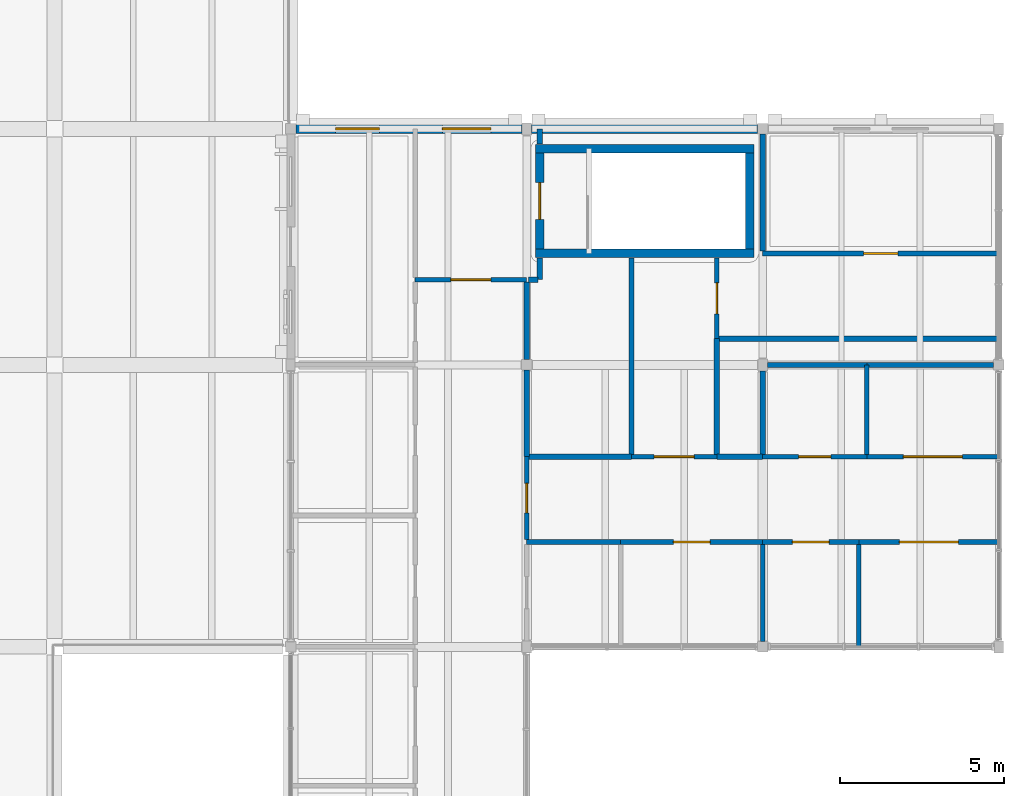
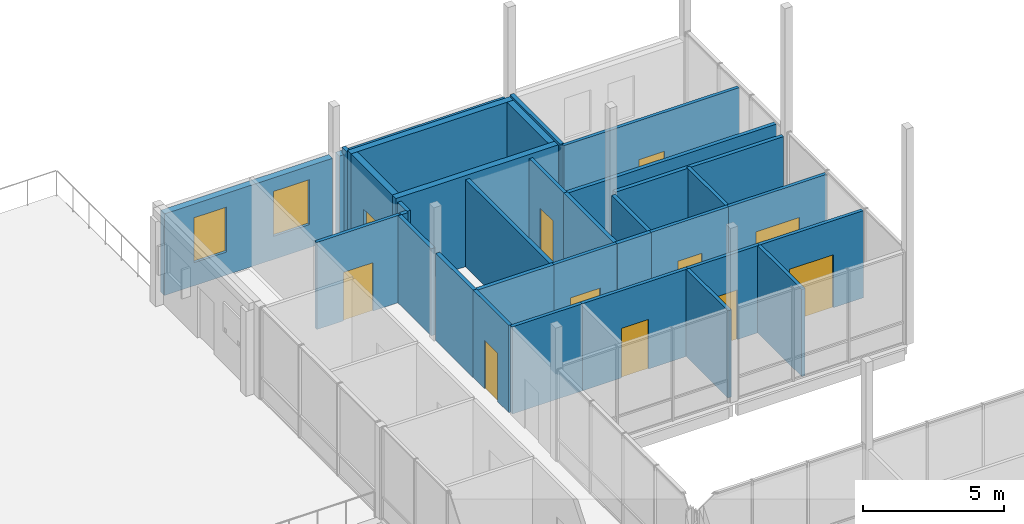
# One storey, part 94 of 115: 34 walls, 11 doors, 2 windows, 13 openings.
"""IFC4 building model written with IfcOpenShell, lengths in metres."""

from ifc_helpers import new_model, si_unit, direction, frame, frame_2d, origin, place, context, subcontext, project, spatial, rectangle, extrude, material, layer, layer_set, type_object, element, fill, save


model = new_model("IFC4")

# Units and contexts
model_context = context("Model", 3, precision=1e-05, world=origin(), true_north=direction((0.0, 1.0)))
body_context = subcontext(model_context, "Body", "Model", "MODEL_VIEW")
ifc_project = project(units=[si_unit("LENGTHUNIT", "METRE"), si_unit("AREAUNIT", "SQUARE_METRE"), si_unit("VOLUMEUNIT", "CUBIC_METRE"), si_unit("PLANEANGLEUNIT", "RADIAN"), si_unit("MASSUNIT", "GRAM", prefix="KILO")], contexts=[model_context])

# Site, building, storey
site_placement = place(None, origin())
site = spatial("IfcSite", under=ifc_project, at=site_placement, CompositionType="ELEMENT")
building_placement = place(site_placement, origin())
building = spatial("IfcBuilding", under=site, at=building_placement, Name="Hawrajan Terrace Health Centre", CompositionType="ELEMENT")
storey_placement = place(building_placement, frame((0.0, 0.0, 9.0)))
storey = spatial("IfcBuildingStorey", under=building, at=storey_placement, Name="L02", CompositionType="ELEMENT", Elevation=9.0)

# Wall, opening, door
ifc_material_1 = material(Name="Gypsum board on acoustic stud framing")
ifc_layer_1 = layer(ifc_material_1, 0.139892578125)
ifc_layer_set_1 = layer_set([ifc_layer_1], Name="Gypsum board on acoustic stud framing")
wall_type_1 = type_object("IfcWallType", Name="ClinicalAcousticWall_140", PredefinedType="PARTITIONING", material=ifc_layer_set_1)
wall_1_placement = place(storey_placement, frame((147.60009765625, 48.0, 0.0), z_axis=(0.0, 0.0, 1.0), x_axis=(1.0, 0.0, 0.0)))
wall_1 = element("IfcWall", 1, at=wall_1_placement, inside=storey, type_object=wall_type_1, Name="Interior wall IW-L02-1181", PredefinedType="PARTITIONING", context=body_context, shape_type="SweptSolid", body=[
    extrude(rectangle(XDim=3.39990234375, YDim=0.139892578125, at=frame_2d((1.699951171875, 0.0))), origin(), (0.0, 0.0, 1.0), 3.780029296875),
])
opening_1_placement = place(wall_1_placement, frame((1.090087890625, 0.0, 0.0)))
opening_1 = element("IfcOpeningElement", 2, at=opening_1_placement, cuts=wall_1, Name="Opening D-L02-452", PredefinedType="OPENING", context=body_context, shape_type="SweptSolid", body=[
    extrude(rectangle(XDim=1.219970703125, YDim=2.10009765625, at=frame_2d((0.60986328125, 1.050048828125))), frame((0.0, 0.079833984375, 0.0), z_axis=(0.0, -1.0, 0.0), x_axis=(1.0, 0.0, 0.0)), (0.0, 0.0, 1.0), 0.159912109375),
])
ifc_material_2 = material(Name="Hardwood acoustic clinical door leaf and frame", Category="wood")
door_type_1 = type_object("IfcDoorType", Name="ConsultDoor_1220x2100", OperationType="NOTDEFINED", PredefinedType="DOOR", material=ifc_material_2)
door_1_placement = place(opening_1_placement, origin())
door_1 = element("IfcDoor", 3, at=door_1_placement, inside=storey, type_object=door_type_1, Name="Interior door D-L02-452", OperationType="SINGLE_SWING_RIGHT", OverallHeight=2.10009765625, OverallWidth=1.219970703125, PredefinedType="DOOR", context=body_context, shape_type="SweptSolid", body=[
    extrude(rectangle(XDim=1.219970703125, YDim=2.10009765625, at=frame_2d((0.60986328125, 1.050048828125))), frame((0.0, 0.02490234375, 0.0), z_axis=(0.0, -1.0, 0.0), x_axis=(1.0, 0.0, 0.0)), (0.0, 0.0, 1.0), 0.050048828125),
])
fill(opening_1, door_1)

wall_2_placement = place(storey_placement, frame((151.0, 40.070068359375, 0.0), z_axis=(0.0, 0.0, 1.0), x_axis=(0.0, 1.0, 0.0)))
wall_2 = element("IfcWall", 4, at=wall_2_placement, inside=storey, type_object=wall_type_1, Name="Interior wall IW-L02-1184", PredefinedType="PARTITIONING", context=body_context, shape_type="SweptSolid", body=[
    extrude(rectangle(XDim=2.530029296875, YDim=0.139892578125, at=frame_2d((1.26513671875, 0.0))), origin(), (0.0, 0.0, 1.0), 3.780029296875),
])
opening_2_placement = place(wall_2_placement, frame((0.81494140625, 0.0, 0.0)))
opening_2 = element("IfcOpeningElement", 5, at=opening_2_placement, cuts=wall_2, Name="Opening D-L02-454", PredefinedType="OPENING", context=body_context, shape_type="SweptSolid", body=[
    extrude(rectangle(XDim=0.89990234375, YDim=2.10009765625, at=frame_2d((0.449951171875, 1.050048828125))), frame((0.0, 0.079833984375, 0.0), z_axis=(0.0, -1.0, 0.0), x_axis=(1.0, 0.0, 0.0)), (0.0, 0.0, 1.0), 0.159912109375),
])
door_type_2 = type_object("IfcDoorType", Name="PatientWCDoor_900x2100", OperationType="NOTDEFINED", PredefinedType="DOOR", material=ifc_material_2)
door_2_placement = place(opening_2_placement, origin())
door_2 = element("IfcDoor", 6, at=door_2_placement, inside=storey, type_object=door_type_2, Name="Interior door D-L02-454", OperationType="SINGLE_SWING_RIGHT", OverallHeight=2.10009765625, OverallWidth=0.89990234375, PredefinedType="DOOR", context=body_context, shape_type="SweptSolid", body=[
    extrude(rectangle(XDim=0.89990234375, YDim=2.10009765625, at=frame_2d((0.449951171875, 1.050048828125))), frame((0.0, 0.02490234375, 0.0), z_axis=(0.0, -1.0, 0.0), x_axis=(1.0, 0.0, 0.0)), (0.0, 0.0, 1.0), 0.050048828125),
])
fill(opening_2, door_2)

# Wall
wall_3_placement = place(storey_placement, frame((151.0, 40.0, 0.0), z_axis=(0.0, 0.0, 1.0), x_axis=(1.0, 0.0, 0.0)))
element("IfcWall", 7, at=wall_3_placement, inside=storey, type_object=wall_type_1, Name="Interior wall IW-L02-1185", PredefinedType="PARTITIONING", context=body_context, shape_type="SweptSolid", body=[
    extrude(rectangle(XDim=2.865966796875, YDim=0.139892578125, at=frame_2d((1.43310546875, 0.0))), origin(), (0.0, 0.0, 1.0), 3.780029296875),
])

# Wall, opening, door
wall_4_placement = place(storey_placement, frame((153.865966796875, 40.0, 0.0), z_axis=(0.0, 0.0, 1.0), x_axis=(1.0, 0.0, 0.0)))
wall_4 = element("IfcWall", 8, at=wall_4_placement, inside=storey, type_object=wall_type_1, Name="Interior wall IW-L02-1188", PredefinedType="PARTITIONING", context=body_context, shape_type="SweptSolid", body=[
    extrude(rectangle(XDim=4.333984375, YDim=0.139892578125, at=frame_2d((2.1669921875, 0.0))), origin(), (0.0, 0.0, 1.0), 3.780029296875),
])
opening_3_placement = place(wall_4_placement, frame((1.60693359375, 0.0, 0.0)))
opening_3 = element("IfcOpeningElement", 9, at=opening_3_placement, cuts=wall_4, Name="Opening D-L02-555", PredefinedType="OPENING", context=body_context, shape_type="SweptSolid", body=[
    extrude(rectangle(XDim=1.1201171875, YDim=2.14990234375, at=frame_2d((0.56005859375, 1.074951171875))), frame((0.0, 0.079833984375, 0.0), z_axis=(0.0, -1.0, 0.0), x_axis=(1.0, 0.0, 0.0)), (0.0, 0.0, 1.0), 0.159912109375),
])
door_type_3 = type_object("IfcDoorType", Name="DentalSurgeryDoor_1120x2150", OperationType="NOTDEFINED", PredefinedType="DOOR", material=ifc_material_2)
door_3_placement = place(opening_3_placement, origin())
door_3 = element("IfcDoor", 10, at=door_3_placement, inside=storey, type_object=door_type_3, Name="Interior door D-L02-555", OperationType="SINGLE_SWING_LEFT", OverallHeight=2.14990234375, OverallWidth=1.1201171875, PredefinedType="DOOR", context=body_context, shape_type="SweptSolid", body=[
    extrude(rectangle(XDim=1.1201171875, YDim=2.14990234375, at=frame_2d((0.56005859375, 1.074951171875))), frame((0.0, 0.02490234375, 0.0), z_axis=(0.0, -1.0, 0.0), x_axis=(1.0, 0.0, 0.0)), (0.0, 0.0, 1.0), 0.050048828125),
])
fill(opening_3, door_3)

wall_5_placement = place(storey_placement, frame((154.199951171875, 42.60009765625, 0.0), z_axis=(0.0, 0.0, 1.0), x_axis=(1.0, 0.0, 0.0)))
wall_5 = element("IfcWall", 11, at=wall_5_placement, inside=storey, type_object=wall_type_1, Name="Interior wall IW-L02-1190", PredefinedType="PARTITIONING", context=body_context, shape_type="SweptSolid", body=[
    extrude(rectangle(XDim=2.60009765625, YDim=0.139892578125, at=frame_2d((1.300048828125, 0.0))), origin(), (0.0, 0.0, 1.0), 3.780029296875),
])
opening_4_placement = place(wall_5_placement, frame((0.68994140625, 0.0, 0.0)))
opening_4 = element("IfcOpeningElement", 12, at=opening_4_placement, cuts=wall_5, Name="Opening D-L02-457", PredefinedType="OPENING", context=body_context, shape_type="SweptSolid", body=[
    extrude(rectangle(XDim=1.219970703125, YDim=2.10009765625, at=frame_2d((0.60986328125, 1.050048828125))), frame((0.0, 0.079833984375, 0.0), z_axis=(0.0, -1.0, 0.0), x_axis=(1.0, 0.0, 0.0)), (0.0, 0.0, 1.0), 0.159912109375),
])
door_4_placement = place(opening_4_placement, origin())
door_4 = element("IfcDoor", 13, at=door_4_placement, inside=storey, type_object=door_type_1, Name="Interior door D-L02-457", OperationType="SINGLE_SWING_LEFT", OverallHeight=2.10009765625, OverallWidth=1.219970703125, PredefinedType="DOOR", context=body_context, shape_type="SweptSolid", body=[
    extrude(rectangle(XDim=1.219970703125, YDim=2.10009765625, at=frame_2d((0.60986328125, 1.050048828125))), frame((0.0, 0.02490234375, 0.0), z_axis=(0.0, -1.0, 0.0), x_axis=(1.0, 0.0, 0.0)), (0.0, 0.0, 1.0), 0.050048828125),
])
fill(opening_4, door_4)

wall_6_placement = place(storey_placement, frame((156.800048828125, 46.199951171875, 0.0), z_axis=(0.0, 0.0, 1.0), x_axis=(0.0, 1.0, 0.0)))
wall_6 = element("IfcWall", 14, at=wall_6_placement, inside=storey, type_object=wall_type_1, Name="Interior wall IW-L02-1192", PredefinedType="PARTITIONING", context=body_context, shape_type="SweptSolid", body=[
    extrude(rectangle(XDim=2.4599609375, YDim=0.139892578125, at=frame_2d((1.22998046875, 0.0))), origin(), (0.0, 0.0, 1.0), 3.780029296875),
])
opening_5_placement = place(wall_6_placement, frame((0.7548828125, 0.0, 0.0)))
opening_5 = element("IfcOpeningElement", 15, at=opening_5_placement, cuts=wall_6, Name="Opening D-L02-458", PredefinedType="OPENING", context=body_context, shape_type="SweptSolid", body=[
    extrude(rectangle(XDim=0.949951171875, YDim=2.10009765625, at=frame_2d((0.47509765625, 1.050048828125))), frame((0.0, 0.079833984375, 0.0), z_axis=(0.0, -1.0, 0.0), x_axis=(1.0, 0.0, 0.0)), (0.0, 0.0, 1.0), 0.159912109375),
])
door_type_4 = type_object("IfcDoorType", Name="AccessibleWCDoor_950x2100", OperationType="NOTDEFINED", PredefinedType="DOOR", material=ifc_material_2)
door_5_placement = place(opening_5_placement, origin())
door_5 = element("IfcDoor", 16, at=door_5_placement, inside=storey, type_object=door_type_4, Name="Interior door D-L02-458", OperationType="SINGLE_SWING_RIGHT", OverallHeight=2.10009765625, OverallWidth=0.949951171875, PredefinedType="DOOR", context=body_context, shape_type="SweptSolid", body=[
    extrude(rectangle(XDim=0.949951171875, YDim=2.10009765625, at=frame_2d((0.47509765625, 1.050048828125))), frame((0.0, 0.02490234375, 0.0), z_axis=(0.0, -1.0, 0.0), x_axis=(1.0, 0.0, 0.0)), (0.0, 0.0, 1.0), 0.050048828125),
])
fill(opening_5, door_5)

# Wall
wall_7_placement = place(storey_placement, frame((158.199951171875, 36.9599609375, 0.0), z_axis=(0.0, 0.0, 1.0), x_axis=(0.0, 1.0, 0.0)))
element("IfcWall", 17, at=wall_7_placement, inside=storey, type_object=wall_type_1, Name="Interior wall IW-L02-1197", PredefinedType="PARTITIONING", context=body_context, shape_type="SweptSolid", body=[
    extrude(rectangle(XDim=2.969970703125, YDim=0.139892578125, at=frame_2d((1.48486328125, 0.0))), origin(), (0.0, 0.0, 1.0), 3.780029296875),
])

# Wall, opening, door
wall_8_placement = place(storey_placement, frame((158.199951171875, 40.0, 0.0), z_axis=(0.0, 0.0, 1.0), x_axis=(1.0, 0.0, 0.0)))
wall_8 = element("IfcWall", 18, at=wall_8_placement, inside=storey, type_object=wall_type_1, Name="Interior wall IW-L02-1198", PredefinedType="PARTITIONING", context=body_context, shape_type="SweptSolid", body=[
    extrude(rectangle(XDim=2.929931640625, YDim=0.139892578125, at=frame_2d((1.46484375, 0.0))), origin(), (0.0, 0.0, 1.0), 3.780029296875),
])
opening_6_placement = place(wall_8_placement, frame((0.905029296875, 0.0, 0.0)))
opening_6 = element("IfcOpeningElement", 19, at=opening_6_placement, cuts=wall_8, Name="Opening D-L02-560", PredefinedType="OPENING", context=body_context, shape_type="SweptSolid", body=[
    extrude(rectangle(XDim=1.1201171875, YDim=2.14990234375, at=frame_2d((0.56005859375, 1.074951171875))), frame((0.0, 0.079833984375, 0.0), z_axis=(0.0, -1.0, 0.0), x_axis=(1.0, 0.0, 0.0)), (0.0, 0.0, 1.0), 0.159912109375),
])
door_6_placement = place(opening_6_placement, origin())
door_6 = element("IfcDoor", 20, at=door_6_placement, inside=storey, type_object=door_type_3, Name="Interior door D-L02-560", OperationType="SINGLE_SWING_RIGHT", OverallHeight=2.14990234375, OverallWidth=1.1201171875, PredefinedType="DOOR", context=body_context, shape_type="SweptSolid", body=[
    extrude(rectangle(XDim=1.1201171875, YDim=2.14990234375, at=frame_2d((0.56005859375, 1.074951171875))), frame((0.0, 0.02490234375, 0.0), z_axis=(0.0, -1.0, 0.0), x_axis=(1.0, 0.0, 0.0)), (0.0, 0.0, 1.0), 0.050048828125),
])
fill(opening_6, door_6)

wall_9_placement = place(storey_placement, frame((158.199951171875, 42.60009765625, 0.0), z_axis=(0.0, 0.0, 1.0), x_axis=(1.0, 0.0, 0.0)))
wall_9 = element("IfcWall", 21, at=wall_9_placement, inside=storey, type_object=wall_type_1, Name="Interior wall IW-L02-1199", PredefinedType="PARTITIONING", context=body_context, shape_type="SweptSolid", body=[
    extrude(rectangle(XDim=3.175048828125, YDim=0.139892578125, at=frame_2d((1.58740234375, 0.0))), origin(), (0.0, 0.0, 1.0), 3.780029296875),
])
opening_7_placement = place(wall_9_placement, frame((1.097412109375, 0.0, 0.0)))
opening_7 = element("IfcOpeningElement", 22, at=opening_7_placement, cuts=wall_9, Name="Opening D-L02-562", PredefinedType="OPENING", context=body_context, shape_type="SweptSolid", body=[
    extrude(rectangle(XDim=0.97998046875, YDim=2.14990234375, at=frame_2d((0.489990234375, 1.074951171875))), frame((0.0, 0.079833984375, 0.0), z_axis=(0.0, -1.0, 0.0), x_axis=(1.0, 0.0, 0.0)), (0.0, 0.0, 1.0), 0.159912109375),
])
door_type_5 = type_object("IfcDoorType", Name="ConsultDoor_980x2150", OperationType="NOTDEFINED", PredefinedType="DOOR", material=ifc_material_2)
door_7_placement = place(opening_7_placement, origin())
door_7 = element("IfcDoor", 23, at=door_7_placement, inside=storey, type_object=door_type_5, Name="Interior door D-L02-562", OperationType="SINGLE_SWING_RIGHT", OverallHeight=2.14990234375, OverallWidth=0.97998046875, PredefinedType="DOOR", context=body_context, shape_type="SweptSolid", body=[
    extrude(rectangle(XDim=0.97998046875, YDim=2.14990234375, at=frame_2d((0.489990234375, 1.074951171875))), frame((0.0, 0.02490234375, 0.0), z_axis=(0.0, -1.0, 0.0), x_axis=(1.0, 0.0, 0.0)), (0.0, 0.0, 1.0), 0.050048828125),
])
fill(opening_7, door_7)

wall_10_placement = place(storey_placement, frame((158.199951171875, 48.800048828125, 0.0), z_axis=(0.0, 0.0, 1.0), x_axis=(1.0, 0.0, 0.0)))
wall_10 = element("IfcWall", 24, at=wall_10_placement, inside=storey, type_object=wall_type_1, Name="Interior wall IW-L02-1200", PredefinedType="PARTITIONING", context=body_context, shape_type="SweptSolid", body=[
    extrude(rectangle(XDim=7.199951171875, YDim=0.139892578125, at=frame_2d((3.60009765625, 0.0))), origin(), (0.0, 0.0, 1.0), 3.780029296875),
])
opening_8_placement = place(wall_10_placement, frame((3.080078125, 0.0, 0.0)))
opening_8 = element("IfcOpeningElement", 25, at=opening_8_placement, cuts=wall_10, Name="Opening D-L02-564", PredefinedType="OPENING", context=body_context, shape_type="SweptSolid", body=[
    extrude(rectangle(XDim=1.0400390625, YDim=2.10009765625, at=frame_2d((0.52001953125, 1.050048828125))), frame((0.0, 0.079833984375, 0.0), z_axis=(0.0, -1.0, 0.0), x_axis=(1.0, 0.0, 0.0)), (0.0, 0.0, 1.0), 0.159912109375),
])
door_type_6 = type_object("IfcDoorType", Name="ConsultDoor_1040x2100", OperationType="NOTDEFINED", PredefinedType="DOOR", material=ifc_material_2)
door_8_placement = place(opening_8_placement, origin())
door_8 = element("IfcDoor", 26, at=door_8_placement, inside=storey, type_object=door_type_6, Name="Interior door D-L02-564", OperationType="SINGLE_SWING_RIGHT", OverallHeight=2.10009765625, OverallWidth=1.0400390625, PredefinedType="DOOR", context=body_context, shape_type="SweptSolid", body=[
    extrude(rectangle(XDim=1.0400390625, YDim=2.10009765625, at=frame_2d((0.52001953125, 1.050048828125))), frame((0.0, 0.02490234375, 0.0), z_axis=(0.0, -1.0, 0.0), x_axis=(1.0, 0.0, 0.0)), (0.0, 0.0, 1.0), 0.050048828125),
])
fill(opening_8, door_8)

# Wall
wall_11_placement = place(storey_placement, frame((161.1298828125, 36.800048828125, 0.0), z_axis=(0.0, 0.0, 1.0), x_axis=(0.0, 1.0, 0.0)))
element("IfcWall", 27, at=wall_11_placement, inside=storey, type_object=wall_type_1, Name="Interior wall IW-L02-1203", PredefinedType="PARTITIONING", context=body_context, shape_type="SweptSolid", body=[
    extrude(rectangle(XDim=3.1298828125, YDim=0.139892578125, at=frame_2d((1.56494140625, 0.0))), origin(), (0.0, 0.0, 1.0), 3.780029296875),
])

# Wall, opening, door
wall_12_placement = place(storey_placement, frame((161.1298828125, 40.0, 0.0), z_axis=(0.0, 0.0, 1.0), x_axis=(1.0, 0.0, 0.0)))
wall_12 = element("IfcWall", 28, at=wall_12_placement, inside=storey, type_object=wall_type_1, Name="Interior wall IW-L02-1204", PredefinedType="PARTITIONING", context=body_context, shape_type="SweptSolid", body=[
    extrude(rectangle(XDim=4.27001953125, YDim=0.139892578125, at=frame_2d((2.135009765625, 0.0))), origin(), (0.0, 0.0, 1.0), 3.780029296875),
])
opening_9_placement = place(wall_12_placement, frame((1.235107421875, 0.0, 0.0)))
opening_9 = element("IfcOpeningElement", 29, at=opening_9_placement, cuts=wall_12, Name="Opening D-L02-561", PredefinedType="OPENING", context=body_context, shape_type="SweptSolid", body=[
    extrude(rectangle(XDim=1.800048828125, YDim=2.300048828125, at=frame_2d((0.89990234375, 1.14990234375))), frame((0.0, 0.079833984375, 0.0), z_axis=(0.0, -1.0, 0.0), x_axis=(1.0, 0.0, 0.0)), (0.0, 0.0, 1.0), 0.159912109375),
])
door_type_7 = type_object("IfcDoorType", Name="EducationHallDoor_1800x2300", OperationType="DOUBLE_DOOR_SINGLE_SWING", PredefinedType="DOOR", material=ifc_material_2)
door_9_placement = place(opening_9_placement, origin())
door_9 = element("IfcDoor", 30, at=door_9_placement, inside=storey, type_object=door_type_7, Name="Interior door D-L02-561", OperationType="DOUBLE_DOOR_SINGLE_SWING", OverallHeight=2.300048828125, OverallWidth=1.800048828125, PredefinedType="DOOR", context=body_context, shape_type="SweptSolid", body=[
    extrude(rectangle(XDim=1.800048828125, YDim=2.300048828125, at=frame_2d((0.89990234375, 1.14990234375))), frame((0.0, 0.02490234375, 0.0), z_axis=(0.0, -1.0, 0.0), x_axis=(1.0, 0.0, 0.0)), (0.0, 0.0, 1.0), 0.050048828125),
])
fill(opening_9, door_9)

# Wall
wall_13_placement = place(storey_placement, frame((161.375, 42.669921875, 0.0), z_axis=(0.0, 0.0, 1.0), x_axis=(0.0, 1.0, 0.0)))
element("IfcWall", 31, at=wall_13_placement, inside=storey, type_object=wall_type_1, Name="Interior wall IW-L02-1205", PredefinedType="PARTITIONING", context=body_context, shape_type="SweptSolid", body=[
    extrude(rectangle(XDim=2.72998046875, YDim=0.139892578125, at=frame_2d((1.364990234375, 0.0))), origin(), (0.0, 0.0, 1.0), 3.780029296875),
])

# Wall, opening, door
wall_14_placement = place(storey_placement, frame((161.375, 42.60009765625, 0.0), z_axis=(0.0, 0.0, 1.0), x_axis=(1.0, 0.0, 0.0)))
wall_14 = element("IfcWall", 32, at=wall_14_placement, inside=storey, type_object=wall_type_1, Name="Interior wall IW-L02-1206", PredefinedType="PARTITIONING", context=body_context, shape_type="SweptSolid", body=[
    extrude(rectangle(XDim=4.02490234375, YDim=0.139892578125, at=frame_2d((2.012451171875, 0.0))), origin(), (0.0, 0.0, 1.0), 3.780029296875),
])
opening_10_placement = place(wall_14_placement, frame((1.112548828125, 0.0, 0.0)))
opening_10 = element("IfcOpeningElement", 33, at=opening_10_placement, cuts=wall_14, Name="Opening D-L02-563", PredefinedType="OPENING", context=body_context, shape_type="SweptSolid", body=[
    extrude(rectangle(XDim=1.800048828125, YDim=2.300048828125, at=frame_2d((0.89990234375, 1.14990234375))), frame((0.0, 0.079833984375, 0.0), z_axis=(0.0, -1.0, 0.0), x_axis=(1.0, 0.0, 0.0)), (0.0, 0.0, 1.0), 0.159912109375),
])
door_10_placement = place(opening_10_placement, origin())
door_10 = element("IfcDoor", 34, at=door_10_placement, inside=storey, type_object=door_type_7, Name="Interior door D-L02-563", OperationType="DOUBLE_DOOR_SINGLE_SWING", OverallHeight=2.300048828125, OverallWidth=1.800048828125, PredefinedType="DOOR", context=body_context, shape_type="SweptSolid", body=[
    extrude(rectangle(XDim=1.800048828125, YDim=2.300048828125, at=frame_2d((0.89990234375, 1.14990234375))), frame((0.0, 0.02490234375, 0.0), z_axis=(0.0, -1.0, 0.0), x_axis=(1.0, 0.0, 0.0)), (0.0, 0.0, 1.0), 0.050048828125),
])
fill(opening_10, door_10)

# Walls
ifc_material_3 = material(Name="Concrete C40/50", Category="concrete")
ifc_layer_2 = layer(ifc_material_3, 0.260009765625)
ifc_layer_set_2 = layer_set([ifc_layer_2], Name="Concrete C40/50")
wall_type_2 = type_object("IfcWallType", Name="CoreShearWall_RC260", PredefinedType="SHEAR", material=ifc_layer_set_2)
for number, where, z_axis, x_axis, name in (
    (35, (151.27001953125, 48.800048828125, 0.0), (0.0, 0.0, 1.0), (1.0, 0.0, 0.0), "Core shear wall SW-S9-L02-S"),
    (36, (151.27001953125, 52.0, 0.0), (0.0, 0.0, 1.0), (1.0, 0.0, 0.0), "Core shear wall SW-S9-L02-N"),
):
    element("IfcWall", number, at=place(storey_placement, frame(where, z_axis=z_axis, x_axis=x_axis)), inside=storey, type_object=wall_type_2, Name=name, PredefinedType="SHEAR", context=body_context, shape_type="SweptSolid", body=[
        extrude(rectangle(XDim=6.659912109375, YDim=0.260009765625, at=frame_2d((3.330078125, 0.0))), origin(), (0.0, 0.0, 1.0), 3.949951171875),
    ])

# Wall, opening, door
wall_15_placement = place(storey_placement, frame((151.39990234375, 48.929931640625, 0.0), z_axis=(0.0, 0.0, 1.0), x_axis=(0.0, 1.0, 0.0)))
wall_15 = element("IfcWall", 37, at=wall_15_placement, inside=storey, type_object=wall_type_2, Name="Core shear wall SW-S9-L02-W", PredefinedType="SHEAR", context=body_context, shape_type="SweptSolid", body=[
    extrude(rectangle(XDim=2.940185546875, YDim=0.260009765625, at=frame_2d((1.47021484375, 0.0))), origin(), (0.0, 0.0, 1.0), 3.949951171875),
])
opening_11_placement = place(wall_15_placement, frame((0.909912109375, 0.0, 0.0)))
opening_11 = element("IfcOpeningElement", 38, at=opening_11_placement, cuts=wall_15, Name="Opening D-L02-437", PredefinedType="OPENING", context=body_context, shape_type="SweptSolid", body=[
    extrude(rectangle(XDim=1.1201171875, YDim=2.10009765625, at=frame_2d((0.56005859375, 1.050048828125))), frame((0.0, 0.139892578125, 0.0), z_axis=(0.0, -1.0, 0.0), x_axis=(1.0, 0.0, 0.0)), (0.0, 0.0, 1.0), 0.280029296875),
])
ifc_material_4 = material(Name="Timber-veneered acoustic fire-resisting door assembly", Category="wood")
door_type_8 = type_object("IfcDoorType", Name="CoreStairDoor_1120x2100", OperationType="NOTDEFINED", PredefinedType="DOOR", material=ifc_material_4)
door_11_placement = place(opening_11_placement, origin())
door_11 = element("IfcDoor", 39, at=door_11_placement, inside=storey, type_object=door_type_8, Name="Interior door D-L02-437", OperationType="SINGLE_SWING_LEFT", OverallHeight=2.10009765625, OverallWidth=1.1201171875, PredefinedType="DOOR", context=body_context, shape_type="SweptSolid", body=[
    extrude(rectangle(XDim=1.1201171875, YDim=2.10009765625, at=frame_2d((0.56005859375, 1.050048828125))), frame((0.0, 0.02490234375, 0.0), z_axis=(0.0, -1.0, 0.0), x_axis=(1.0, 0.0, 0.0)), (0.0, 0.0, 1.0), 0.050048828125),
])
fill(opening_11, door_11)

# Walls
wall_16_placement = place(storey_placement, frame((157.800048828125, 48.929931640625, 0.0), z_axis=(0.0, 0.0, 1.0), x_axis=(0.0, 1.0, 0.0)))
element("IfcWall", 40, at=wall_16_placement, inside=storey, type_object=wall_type_2, Name="Core shear wall SW-S9-L02-E", PredefinedType="SHEAR", context=body_context, shape_type="SweptSolid", body=[
    extrude(rectangle(XDim=2.940185546875, YDim=0.260009765625, at=frame_2d((1.47021484375, 0.0))), origin(), (0.0, 0.0, 1.0), 3.949951171875),
])
ifc_layer_3 = layer(ifc_material_1, 0.159912109375)
ifc_layer_set_3 = layer_set([ifc_layer_3], Name="Gypsum board on acoustic stud framing")
wall_type_3 = type_object("IfcWallType", Name="CorridorFireWall_160", PredefinedType="PARTITIONING", material=ifc_layer_set_3)
wall_17_placement = place(storey_placement, frame((151.0, 42.60009765625, 0.0), z_axis=(0.0, 0.0, 1.0), x_axis=(0.0, 1.0, 0.0)))
element("IfcWall", 41, at=wall_17_placement, inside=storey, type_object=wall_type_3, Name="Interior wall IW-L02-1233", PredefinedType="PARTITIONING", context=body_context, shape_type="SweptSolid", body=[
    extrude(rectangle(XDim=2.639892578125, YDim=0.159912109375, at=frame_2d((1.31982421875, 0.0))), origin(), (0.0, 0.0, 1.0), 3.780029296875),
])
wall_18_placement = place(storey_placement, frame((151.0, 45.56005859375, 0.0), z_axis=(0.0, 0.0, 1.0), x_axis=(0.0, 1.0, 0.0)))
element("IfcWall", 42, at=wall_18_placement, inside=storey, type_object=wall_type_3, Name="Interior wall IW-L02-1234", PredefinedType="PARTITIONING", context=body_context, shape_type="SweptSolid", body=[
    extrude(rectangle(XDim=2.369873046875, YDim=0.159912109375, at=frame_2d((1.18505859375, 0.0))), origin(), (0.0, 0.0, 1.0), 3.780029296875),
])
wall_19_placement = place(storey_placement, frame((151.06005859375, 48.0, 0.0), z_axis=(0.0, 0.0, 1.0), x_axis=(1.0, 0.0, 0.0)))
element("IfcWall", 43, at=wall_19_placement, inside=storey, type_object=wall_type_3, Name="Interior wall IW-L02-1235", PredefinedType="PARTITIONING", context=body_context, shape_type="SweptSolid", body=[
    extrude(rectangle(XDim=0.280029296875, YDim=0.159912109375, at=frame_2d((0.14013671875, 0.0))), origin(), (0.0, 0.0, 1.0), 3.780029296875),
])
wall_20_placement = place(storey_placement, frame((151.39990234375, 48.0, 0.0), z_axis=(0.0, 0.0, 1.0), x_axis=(0.0, 1.0, 0.0)))
element("IfcWall", 44, at=wall_20_placement, inside=storey, type_object=wall_type_3, Name="Interior wall IW-L02-1236", PredefinedType="PARTITIONING", context=body_context, shape_type="SweptSolid", body=[
    extrude(rectangle(XDim=0.659912109375, YDim=0.159912109375, at=frame_2d((0.330078125, 0.0))), origin(), (0.0, 0.0, 1.0), 3.780029296875),
])
wall_21_placement = place(storey_placement, frame((151.39990234375, 52.139892578125, 0.0), z_axis=(0.0, 0.0, 1.0), x_axis=(0.0, 1.0, 0.0)))
element("IfcWall", 45, at=wall_21_placement, inside=storey, type_object=wall_type_3, Name="Interior wall IW-L02-1237", PredefinedType="PARTITIONING", context=body_context, shape_type="SweptSolid", body=[
    extrude(rectangle(XDim=0.460205078125, YDim=0.159912109375, at=frame_2d((0.22998046875, 0.0))), origin(), (0.0, 0.0, 1.0), 3.780029296875),
])
wall_22_placement = place(storey_placement, frame((158.199951171875, 42.60009765625, 0.0), z_axis=(0.0, 0.0, 1.0), x_axis=(-1.0, 0.0, 0.0)))
element("IfcWall", 46, at=wall_22_placement, inside=storey, type_object=wall_type_3, Name="Interior wall IW-L02-1244", PredefinedType="PARTITIONING", context=body_context, shape_type="SweptSolid", body=[
    extrude(rectangle(XDim=1.39990234375, YDim=0.159912109375, at=frame_2d((0.699951171875, 0.0))), origin(), (0.0, 0.0, 1.0), 3.780029296875),
])
wall_23_placement = place(storey_placement, frame((154.199951171875, 42.60009765625, 0.0), z_axis=(0.0, 0.0, 1.0), x_axis=(-1.0, 0.0, 0.0)))
element("IfcWall", 47, at=wall_23_placement, inside=storey, type_object=wall_type_3, Name="Interior wall IW-L02-1245", PredefinedType="PARTITIONING", context=body_context, shape_type="SweptSolid", body=[
    extrude(rectangle(XDim=3.199951171875, YDim=0.159912109375, at=frame_2d((1.60009765625, 0.0))), origin(), (0.0, 0.0, 1.0), 3.780029296875),
])
wall_24_placement = place(storey_placement, frame((156.800048828125, 42.669921875, 0.0), z_axis=(0.0, 0.0, 1.0), x_axis=(0.0, 1.0, 0.0)))
element("IfcWall", 48, at=wall_24_placement, inside=storey, type_object=wall_type_3, Name="Interior wall IW-L02-1246", PredefinedType="PARTITIONING", context=body_context, shape_type="SweptSolid", body=[
    extrude(rectangle(XDim=3.530029296875, YDim=0.159912109375, at=frame_2d((1.76513671875, 0.0))), origin(), (0.0, 0.0, 1.0), 3.780029296875),
])
wall_25_placement = place(storey_placement, frame((154.199951171875, 42.669921875, 0.0), z_axis=(0.0, 0.0, 1.0), x_axis=(0.0, 1.0, 0.0)))
element("IfcWall", 49, at=wall_25_placement, inside=storey, type_object=wall_type_3, Name="Interior wall IW-L02-1247", PredefinedType="PARTITIONING", context=body_context, shape_type="SweptSolid", body=[
    extrude(rectangle(XDim=5.989990234375, YDim=0.159912109375, at=frame_2d((2.9951171875, 0.0))), origin(), (0.0, 0.0, 1.0), 3.780029296875),
])
wall_26_placement = place(storey_placement, frame((156.800048828125, 46.199951171875, 0.0), z_axis=(0.0, 0.0, 1.0), x_axis=(1.0, 0.0, 0.0)))
element("IfcWall", 50, at=wall_26_placement, inside=storey, type_object=wall_type_3, Name="Interior wall IW-L02-1248", PredefinedType="PARTITIONING", context=body_context, shape_type="SweptSolid", body=[
    extrude(rectangle(XDim=8.599853515625, YDim=0.159912109375, at=frame_2d((4.2998046875, 0.0))), origin(), (0.0, 0.0, 1.0), 3.780029296875),
])
wall_27_placement = place(storey_placement, frame((161.375244140625, 45.39990234375, 0.0), z_axis=(0.0, 0.0, 1.0), x_axis=(-1.0, 0.0, 0.0)))
element("IfcWall", 51, at=wall_27_placement, inside=storey, type_object=wall_type_3, Name="Interior wall IW-L02-1268", PredefinedType="PARTITIONING", context=body_context, shape_type="SweptSolid", body=[
    extrude(rectangle(XDim=3.03515625, YDim=0.159912109375, at=frame_2d((1.517578125, 0.0))), origin(), (0.0, 0.0, 1.0), 3.780029296875),
])
wall_28_placement = place(storey_placement, frame((158.199951171875, 42.669921875, 0.0), z_axis=(0.0, 0.0, 1.0), x_axis=(0.0, 1.0, 0.0)))
element("IfcWall", 52, at=wall_28_placement, inside=storey, type_object=wall_type_3, Name="Interior wall IW-L02-1269", PredefinedType="PARTITIONING", context=body_context, shape_type="SweptSolid", body=[
    extrude(rectangle(XDim=2.550048828125, YDim=0.159912109375, at=frame_2d((1.27490234375, 0.0))), origin(), (0.0, 0.0, 1.0), 3.780029296875),
])
wall_29_placement = place(storey_placement, frame((165.239990234375, 45.39990234375, 0.0), z_axis=(0.0, 0.0, 1.0), x_axis=(-1.0, 0.0, 0.0)))
element("IfcWall", 53, at=wall_29_placement, inside=storey, type_object=wall_type_3, Name="Interior wall IW-L02-1270", PredefinedType="PARTITIONING", context=body_context, shape_type="SweptSolid", body=[
    extrude(rectangle(XDim=3.86474609375, YDim=0.159912109375, at=frame_2d((1.932373046875, 0.0))), origin(), (0.0, 0.0, 1.0), 3.780029296875),
])
wall_30_placement = place(storey_placement, frame((158.199951171875, 48.8701171875, 0.0), z_axis=(0.0, 0.0, 1.0), x_axis=(0.0, 1.0, 0.0)))
element("IfcWall", 54, at=wall_30_placement, inside=storey, type_object=wall_type_3, Name="Interior wall IW-L02-1271", PredefinedType="PARTITIONING", context=body_context, shape_type="SweptSolid", body=[
    extrude(rectangle(XDim=3.56982421875, YDim=0.159912109375, at=frame_2d((1.784912109375, 0.0))), origin(), (0.0, 0.0, 1.0), 3.780029296875),
])

# Wall, openings, windows
ifc_material_5 = material(Name="Cross-laminated timber CLT C24", Category="wood")
ifc_layer_4 = layer(ifc_material_5, 0.27001953125)
ifc_layer_set_4 = layer_set([ifc_layer_4], Name="Cross-laminated timber CLT C24")
wall_type_4 = type_object("IfcWallType", Name="PavilionFacadeWall_270", PredefinedType="SOLIDWALL", material=ifc_layer_set_4)
wall_31_placement = place(storey_placement, frame((143.9599609375, 52.60009765625, 0.0), z_axis=(0.0, 0.0, 1.0), x_axis=(1.0, 0.0, 0.0)))
wall_31 = element("IfcWall", 55, at=wall_31_placement, inside=storey, type_object=wall_type_4, Name="Exterior wall EW-L02-H18-06-1", PredefinedType="SOLIDWALL", context=body_context, shape_type="SweptSolid", body=[
    extrude(rectangle(XDim=6.900146484375, YDim=0.27001953125, at=frame_2d((3.4501953125, 0.0))), origin(), (0.0, 0.0, 1.0), 3.5400390625),
])
opening_12_placement = place(wall_31_placement, frame((1.2099609375, 0.0, 1.0)))
opening_12 = element("IfcOpeningElement", 56, at=opening_12_placement, cuts=wall_31, Name="Opening W-L02-163", PredefinedType="OPENING", context=body_context, shape_type="SweptSolid", body=[
    extrude(rectangle(XDim=1.340087890625, YDim=1.949951171875, at=frame_2d((0.669921875, 0.97509765625))), frame((0.0, 0.14501953125, 0.0), z_axis=(0.0, -1.0, 0.0), x_axis=(1.0, 0.0, 0.0)), (0.0, 0.0, 1.0), 0.2900390625),
])
opening_13_placement = place(wall_31_placement, frame((4.469970703125, 0.0, 1.0)))
opening_13 = element("IfcOpeningElement", 57, at=opening_13_placement, cuts=wall_31, Name="Opening W-L02-164", PredefinedType="OPENING", context=body_context, shape_type="SweptSolid", body=[
    extrude(rectangle(XDim=1.47998046875, YDim=1.949951171875, at=frame_2d((0.739990234375, 0.97509765625))), frame((0.0, 0.14501953125, 0.0), z_axis=(0.0, -1.0, 0.0), x_axis=(1.0, 0.0, 0.0)), (0.0, 0.0, 1.0), 0.2900390625),
])
ifc_material_6 = material(Name="Anodized bronze frame with double low-E glazing", Category="glass")
window_type_1 = type_object("IfcWindowType", Name="FacadeWindow_1340x1950", PartitioningType="SINGLE_PANEL", PredefinedType="WINDOW", material=ifc_material_6)
window_1_placement = place(opening_12_placement, origin())
window_1 = element("IfcWindow", 58, at=window_1_placement, inside=storey, type_object=window_type_1, Name="Window W-L02-163", OverallHeight=1.949951171875, OverallWidth=1.340087890625, PartitioningType="SINGLE_PANEL", PredefinedType="WINDOW", context=body_context, shape_type="SweptSolid", body=[
    extrude(rectangle(XDim=1.340087890625, YDim=1.949951171875, at=frame_2d((0.669921875, 0.97509765625))), frame((0.0, 0.030029296875, 0.0), z_axis=(0.0, -1.0, 0.0), x_axis=(1.0, 0.0, 0.0)), (0.0, 0.0, 1.0), 0.06005859375),
])
fill(opening_12, window_1)
window_type_2 = type_object("IfcWindowType", Name="FacadeWindow_1480x1950", PartitioningType="SINGLE_PANEL", PredefinedType="WINDOW", material=ifc_material_6)
window_2_placement = place(opening_13_placement, origin())
window_2 = element("IfcWindow", 59, at=window_2_placement, inside=storey, type_object=window_type_2, Name="Window W-L02-164", OverallHeight=1.949951171875, OverallWidth=1.47998046875, PartitioningType="SINGLE_PANEL", PredefinedType="WINDOW", context=body_context, shape_type="SweptSolid", body=[
    extrude(rectangle(XDim=1.47998046875, YDim=1.949951171875, at=frame_2d((0.739990234375, 0.97509765625))), frame((0.0, 0.030029296875, 0.0), z_axis=(0.0, -1.0, 0.0), x_axis=(1.0, 0.0, 0.0)), (0.0, 0.0, 1.0), 0.06005859375),
])
fill(opening_13, window_2)

# Wall
wall_32_placement = place(storey_placement, frame((151.139892578125, 52.60009765625, 0.0), z_axis=(0.0, 0.0, 1.0), x_axis=(1.0, 0.0, 0.0)))
element("IfcWall", 60, at=wall_32_placement, inside=storey, type_object=wall_type_4, Name="Exterior wall EW-L02-H19-06-1", PredefinedType="SOLIDWALL", context=body_context, shape_type="SweptSolid", body=[
    extrude(rectangle(XDim=6.900146484375, YDim=0.27001953125, at=frame_2d((3.4501953125, 0.0))), origin(), (0.0, 0.0, 1.0), 3.5400390625),
])

save(model, "model.ifc")
